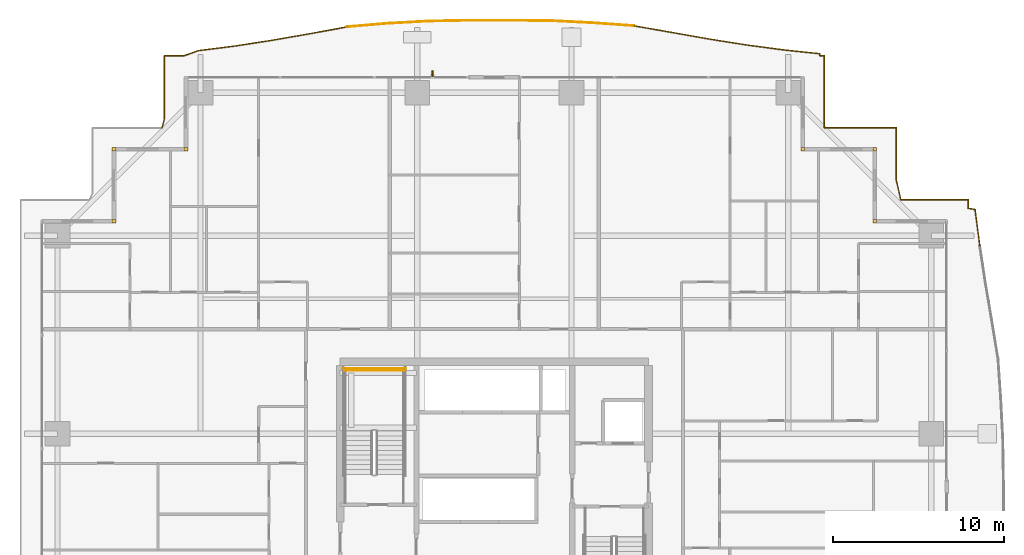
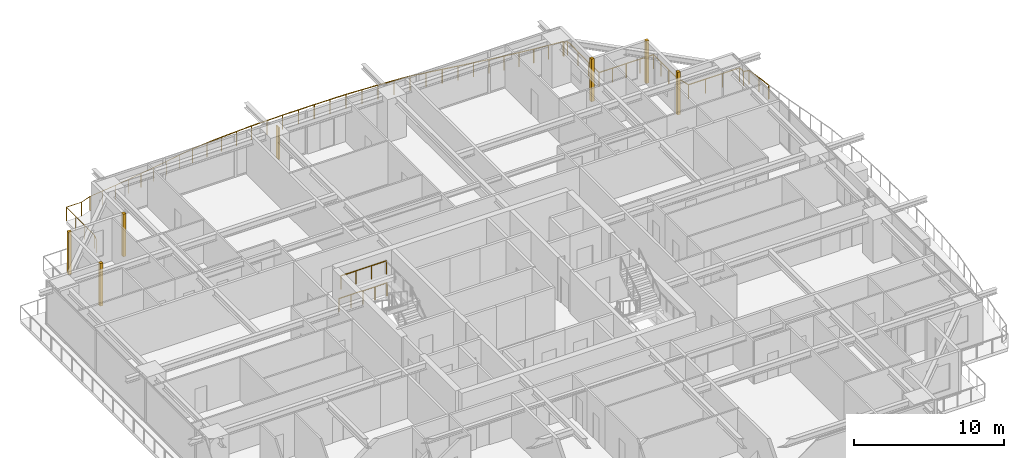
# One storey, part 38 of 38: 6 coverings, 6 railings, 1 shading device.
"""IFC4 building model written with IfcOpenShell, lengths in metres."""

from ifc_helpers import new_model, si_unit, direction, frame, origin, origin_2d, place, context, subcontext, project, spatial, rectangle, circle, extrude, source, transform, mapped, material, layer, layer_set, type_object, element, save


model = new_model("IFC4")

# Units and contexts
model_context = context("Model", 3, precision=1e-05, world=origin(), true_north=direction((0.0, 1.0)))
body_context = subcontext(model_context, "Body", "Model", "MODEL_VIEW")
ifc_project = project(units=[si_unit("LENGTHUNIT", "METRE"), si_unit("AREAUNIT", "SQUARE_METRE"), si_unit("VOLUMEUNIT", "CUBIC_METRE"), si_unit("PLANEANGLEUNIT", "RADIAN"), si_unit("MASSUNIT", "GRAM", prefix="KILO")], contexts=[model_context])

# Site, building, storey
site_placement = place(None, origin())
site = spatial("IfcSite", under=ifc_project, at=site_placement, CompositionType="ELEMENT")
building_placement = place(site_placement, origin())
building = spatial("IfcBuilding", under=site, at=building_placement, Name="Serunith Strait Residences", CompositionType="ELEMENT")
storey_placement = place(building_placement, frame((0.0, 0.0, 30.449951171875)))
storey = spatial("IfcBuildingStorey", under=building, at=storey_placement, Name="L06", CompositionType="ELEMENT", Elevation=30.449951171875)

# Railings
ifc_material_1 = material(Name="Stainless Steel & Laminated Glass Balustrade", Category="steel")
railing_type_1 = type_object("IfcRailingType", Name="RLG-BALC-1150", PredefinedType="BALUSTRADE", material=ifc_material_1)
railing_1_placement = place(storey_placement, frame((13.00341796875, 47.260009765625, -0.050048828125)))
element("IfcRailing", 1, at=railing_1_placement, inside=storey, type_object=railing_type_1, Name="L06 Swirling Balcony Perimeter Balustrade 1", PredefinedType="BALUSTRADE", context=body_context, shape_type="SweptSolid", body=[
    extrude(circle(Radius=0.02392578125, at=origin_2d()), frame((0.00048828125, 0.001953125, 1.1259765625), z_axis=(0.256207487761, 0.966621809818, 0.0), x_axis=(-0.966621809818, 0.256207487761, 0.0)), (0.0, 0.0, 1.0), 0.528564453125),
    extrude(circle(Radius=0.02392578125, at=origin_2d()), frame((0.136474609375, 0.516845703125, 1.1259765625), z_axis=(0.0, 1.0, 0.0), x_axis=(-1.0, 0.0, 0.0)), (0.0, 0.0, 1.0), 3.68115234375),
    extrude(circle(Radius=0.02392578125, at=origin_2d()), frame((0.138427734375, 4.199951171875, 1.1259765625), z_axis=(1.0, 0.0, 0.0), x_axis=(0.0, 1.0, 0.0)), (0.0, 0.0, 1.0), 1.151123046875),
    extrude(circle(Radius=0.02392578125, at=origin_2d()), frame((1.29345703125, 4.20068359375, 1.1259765625), z_axis=(0.941439410602, 0.337182200251, 0.0), x_axis=(-0.337182200251, 0.941439410602, 0.0)), (0.0, 0.0, 1.0), 0.87353515625),
    extrude(circle(Radius=0.02392578125, at=origin_2d()), frame((2.11962890625, 4.49609375, 1.1259765625), z_axis=(0.992003367835, 0.126211402833, 0.0), x_axis=(-0.126211402833, 0.992003367835, 0.0)), (0.0, 0.0, 1.0), 2.135498046875),
    extrude(circle(Radius=0.02392578125, at=origin_2d()), frame((4.241943359375, 4.76611328125, 1.1259765625), z_axis=(0.988384727456, 0.151972466364, 0.0), x_axis=(-0.151972466364, 0.988384727456, 0.0)), (0.0, 0.0, 1.0), 2.16162109375),
    extrude(circle(Radius=0.02392578125, at=origin_2d()), frame((6.38232421875, 5.09521484375, 1.1259765625), z_axis=(0.985107764797, 0.171938046217, 0.0), x_axis=(-0.171938046217, 0.985107764797, 0.0)), (0.0, 0.0, 1.0), 2.205322265625),
    extrude(circle(Radius=0.02392578125, at=origin_2d()), frame((8.558837890625, 5.47509765625, 1.1259765625), z_axis=(0.983840647341, 0.179046308648, 0.0), x_axis=(-0.179046308648, 0.983840647341, 0.0)), (0.0, 0.0, 1.0), 2.266357421875),
    extrude(circle(Radius=0.02099609375, at=origin_2d()), origin(), (0.0, 0.0, 1.0), 1.099853515625),
    extrude(circle(Radius=0.02099609375, at=origin_2d()), frame((0.136474609375, 0.514892578125, 0.0)), (0.0, 0.0, 1.0), 1.099853515625),
    extrude(circle(Radius=0.02099609375, at=origin_2d()), frame((0.136474609375, 1.7431640625, 0.0)), (0.0, 0.0, 1.0), 1.099853515625),
    extrude(circle(Radius=0.02099609375, at=origin_2d()), frame((0.136474609375, 2.9716796875, 0.0)), (0.0, 0.0, 1.0), 1.099853515625),
    extrude(circle(Radius=0.02099609375, at=origin_2d()), frame((0.136474609375, 4.199951171875, 0.0)), (0.0, 0.0, 1.0), 1.099853515625),
    extrude(circle(Radius=0.02099609375, at=origin_2d()), frame((1.29150390625, 4.199951171875, 0.0)), (0.0, 0.0, 1.0), 1.099853515625),
    extrude(circle(Radius=0.02099609375, at=origin_2d()), frame((2.11767578125, 4.495849609375, 0.0)), (0.0, 0.0, 1.0), 1.099853515625),
    extrude(circle(Radius=0.02099609375, at=origin_2d()), frame((3.1787109375, 4.630859375, 0.0)), (0.0, 0.0, 1.0), 1.099853515625),
    extrude(circle(Radius=0.02099609375, at=origin_2d()), frame((4.239990234375, 4.765869140625, 0.0)), (0.0, 0.0, 1.0), 1.099853515625),
    extrude(circle(Radius=0.02099609375, at=origin_2d()), frame((5.31005859375, 4.930419921875, 0.0)), (0.0, 0.0, 1.0), 1.099853515625),
    extrude(circle(Radius=0.02099609375, at=origin_2d()), frame((6.38037109375, 5.094970703125, 0.0)), (0.0, 0.0, 1.0), 1.099853515625),
    extrude(circle(Radius=0.02099609375, at=origin_2d()), frame((7.46875, 5.284912109375, 0.0)), (0.0, 0.0, 1.0), 1.099853515625),
    extrude(circle(Radius=0.02099609375, at=origin_2d()), frame((8.556884765625, 5.474853515625, 0.0)), (0.0, 0.0, 1.0), 1.099853515625),
    extrude(circle(Radius=0.02099609375, at=origin_2d()), frame((9.673828125, 5.67822265625, 0.0)), (0.0, 0.0, 1.0), 1.099853515625),
    extrude(circle(Radius=0.02099609375, at=origin_2d()), frame((10.79052734375, 5.88134765625, 0.0)), (0.0, 0.0, 1.0), 1.099853515625),
])
railing_2_placement = place(storey_placement, frame((23.7939453125, 53.141357421875, -0.050048828125)))
element("IfcRailing", 2, at=railing_2_placement, inside=storey, type_object=railing_type_1, Name="L06 Swirling Balcony Perimeter Balustrade 2", PredefinedType="BALUSTRADE", context=body_context, shape_type="SweptSolid", body=[
    extrude(circle(Radius=0.02392578125, at=origin_2d()), frame((0.001953125, 0.000244140625, 1.1259765625), z_axis=(0.996370776715, 0.085119182962, 0.0), x_axis=(-0.085119182962, 0.996370776715, 0.0)), (0.0, 0.0, 1.0), 2.353759765625),
    extrude(circle(Radius=0.02392578125, at=origin_2d()), frame((2.35107421875, 0.20068359375, 1.1259765625), z_axis=(0.998480038069, 0.055114549597, 0.0), x_axis=(-0.055114549597, 0.998480038069, 0.0)), (0.0, 0.0, 1.0), 2.392578125),
    extrude(circle(Radius=0.02392578125, at=origin_2d()), frame((4.743896484375, 0.332763671875, 1.1259765625), z_axis=(0.999819958859, 0.018974980039, 0.0), x_axis=(-0.018974980039, 0.999819958859, 0.0)), (0.0, 0.0, 1.0), 2.414794921875),
    extrude(circle(Radius=0.02392578125, at=origin_2d()), frame((7.162353515625, 0.378662109375, 1.1259765625), z_axis=(1.0, 0.0, 0.0), x_axis=(0.0, 1.0, 0.0)), (0.0, 0.0, 1.0), 2.4248046875),
    extrude(circle(Radius=0.02392578125, at=origin_2d()), frame((9.591064453125, 0.378662109375, 1.1259765625), z_axis=(0.999937390621, -0.011189943579, 0.0), x_axis=(0.011189943579, 0.999937390621, 0.0)), (0.0, 0.0, 1.0), 2.417724609375),
    extrude(circle(Radius=0.02392578125, at=origin_2d()), frame((12.0126953125, 0.3515625, 1.1259765625), z_axis=(0.998712476955, -0.050728575529, 0.0), x_axis=(0.050728575529, 0.998712476955, 0.0)), (0.0, 0.0, 1.0), 2.3974609375),
    extrude(circle(Radius=0.02392578125, at=origin_2d()), frame((14.4111328125, 0.2294921875, 1.1259765625), z_axis=(0.997456608021, -0.07127632928, 0.0), x_axis=(0.07127632928, 0.997456608021, 0.0)), (0.0, 0.0, 1.0), 2.3662109375),
    extrude(circle(Radius=0.02099609375, at=origin_2d()), origin(), (0.0, 0.0, 1.0), 1.099853515625),
    extrude(circle(Radius=0.02099609375, at=origin_2d()), frame((1.174560546875, 0.100341796875, 0.0)), (0.0, 0.0, 1.0), 1.099853515625),
    extrude(circle(Radius=0.02099609375, at=origin_2d()), frame((2.34912109375, 0.20068359375, 0.0)), (0.0, 0.0, 1.0), 1.099853515625),
    extrude(circle(Radius=0.02099609375, at=origin_2d()), frame((3.54541015625, 0.2666015625, 0.0)), (0.0, 0.0, 1.0), 1.099853515625),
    extrude(circle(Radius=0.02099609375, at=origin_2d()), frame((4.741943359375, 0.332763671875, 0.0)), (0.0, 0.0, 1.0), 1.099853515625),
    extrude(circle(Radius=0.02099609375, at=origin_2d()), frame((5.951171875, 0.355712890625, 0.0)), (0.0, 0.0, 1.0), 1.099853515625),
    extrude(circle(Radius=0.02099609375, at=origin_2d()), frame((7.160400390625, 0.378662109375, 0.0)), (0.0, 0.0, 1.0), 1.099853515625),
    extrude(circle(Radius=0.02099609375, at=origin_2d()), frame((8.374755859375, 0.378662109375, 0.0)), (0.0, 0.0, 1.0), 1.099853515625),
    extrude(circle(Radius=0.02099609375, at=origin_2d()), frame((9.589111328125, 0.378662109375, 0.0)), (0.0, 0.0, 1.0), 1.099853515625),
    extrude(circle(Radius=0.02099609375, at=origin_2d()), frame((10.7998046875, 0.365234375, 0.0)), (0.0, 0.0, 1.0), 1.099853515625),
    extrude(circle(Radius=0.02099609375, at=origin_2d()), frame((12.0107421875, 0.3515625, 0.0)), (0.0, 0.0, 1.0), 1.099853515625),
    extrude(circle(Radius=0.02099609375, at=origin_2d()), frame((13.2099609375, 0.29052734375, 0.0)), (0.0, 0.0, 1.0), 1.099853515625),
    extrude(circle(Radius=0.02099609375, at=origin_2d()), frame((14.4091796875, 0.229736328125, 0.0)), (0.0, 0.0, 1.0), 1.099853515625),
    extrude(circle(Radius=0.02099609375, at=origin_2d()), frame((15.59130859375, 0.145263671875, 0.0)), (0.0, 0.0, 1.0), 1.099853515625),
    extrude(circle(Radius=0.02099609375, at=origin_2d()), frame((16.7734375, 0.060791015625, 0.0)), (0.0, 0.0, 1.0), 1.099853515625),
])
railing_3_placement = place(storey_placement, frame((40.5673828125, 53.2021484375, -0.050048828125)))
element("IfcRailing", 3, at=railing_3_placement, inside=storey, type_object=railing_type_1, Name="L06 Swirling Balcony Perimeter Balustrade 3", PredefinedType="BALUSTRADE", context=body_context, shape_type="SweptSolid", body=[
    extrude(circle(Radius=0.02392578125, at=origin_2d()), frame((0.001953125, -0.000244140625, 1.1259765625), z_axis=(0.985277557416, -0.170962378469, 0.0), x_axis=(0.170962378469, 0.985277557416, 0.0)), (0.0, 0.0, 1.0), 2.28076171875),
    extrude(circle(Radius=0.02392578125, at=origin_2d()), frame((2.253173828125, -0.390869140625, 1.1259765625), z_axis=(0.984653759187, -0.174519266901, 0.0), x_axis=(0.174519266901, 0.984653759187, 0.0)), (0.0, 0.0, 1.0), 2.216064453125),
    extrude(circle(Radius=0.02392578125, at=origin_2d()), frame((4.439208984375, -0.7783203125, 1.1259765625), z_axis=(0.987689049808, -0.156429987181, 0.0), x_axis=(0.156429987181, 0.987689049808, 0.0)), (0.0, 0.0, 1.0), 2.16845703125),
    extrude(circle(Radius=0.02392578125, at=origin_2d()), frame((6.5849609375, -1.1181640625, 1.1259765625), z_axis=(0.991337980419, -0.131335481032, 0.0), x_axis=(0.131335481032, 0.991337980419, 0.0)), (0.0, 0.0, 1.0), 2.139404296875),
    extrude(circle(Radius=0.02392578125, at=origin_2d()), frame((8.709716796875, -1.399658203125, 1.1259765625), z_axis=(0.994456969107, -0.105144360737, 0.0), x_axis=(0.105144360737, 0.994456969107, 0.0)), (0.0, 0.0, 1.0), 2.125244140625),
    extrude(circle(Radius=0.02392578125, at=origin_2d()), frame((10.8251953125, -1.625244140625, 1.1259765625), z_axis=(-0.006160047393, -0.999981026728, 0.0), x_axis=(0.999981026728, -0.006160047393, 0.0)), (0.0, 0.0, 1.0), 0.114990234375),
    extrude(circle(Radius=0.02392578125, at=origin_2d()), frame((10.826416015625, -1.7421875, 1.1259765625), z_axis=(1.0, 0.0, 0.0), x_axis=(0.0, 1.0, 0.0)), (0.0, 0.0, 1.0), 0.26416015625),
    extrude(circle(Radius=0.02392578125, at=origin_2d()), frame((11.092529296875, -1.744140625, 1.1259765625), z_axis=(0.0, -1.0, 0.0), x_axis=(1.0, 0.0, 0.0)), (0.0, 0.0, 1.0), 4.196044921875),
    extrude(circle(Radius=0.02099609375, at=origin_2d()), origin(), (0.0, 0.0, 1.0), 1.099853515625),
    extrude(circle(Radius=0.02099609375, at=origin_2d()), frame((1.12548828125, -0.1953125, 0.0)), (0.0, 0.0, 1.0), 1.099853515625),
    extrude(circle(Radius=0.02099609375, at=origin_2d()), frame((2.251220703125, -0.390625, 0.0)), (0.0, 0.0, 1.0), 1.099853515625),
    extrude(circle(Radius=0.02099609375, at=origin_2d()), frame((3.34423828125, -0.58447265625, 0.0)), (0.0, 0.0, 1.0), 1.099853515625),
    extrude(circle(Radius=0.02099609375, at=origin_2d()), frame((4.437255859375, -0.778076171875, 0.0)), (0.0, 0.0, 1.0), 1.099853515625),
    extrude(circle(Radius=0.02099609375, at=origin_2d()), frame((5.51025390625, -0.947998046875, 0.0)), (0.0, 0.0, 1.0), 1.099853515625),
    extrude(circle(Radius=0.02099609375, at=origin_2d()), frame((6.5830078125, -1.117919921875, 0.0)), (0.0, 0.0, 1.0), 1.099853515625),
    extrude(circle(Radius=0.02099609375, at=origin_2d()), frame((7.6455078125, -1.2587890625, 0.0)), (0.0, 0.0, 1.0), 1.099853515625),
    extrude(circle(Radius=0.02099609375, at=origin_2d()), frame((8.707763671875, -1.3994140625, 0.0)), (0.0, 0.0, 1.0), 1.099853515625),
    extrude(circle(Radius=0.02099609375, at=origin_2d()), frame((9.7666015625, -1.51123046875, 0.0)), (0.0, 0.0, 1.0), 1.099853515625),
    extrude(circle(Radius=0.02099609375, at=origin_2d()), frame((10.8251953125, -1.623291015625, 0.0)), (0.0, 0.0, 1.0), 1.099853515625),
    extrude(circle(Radius=0.02099609375, at=origin_2d()), frame((10.824462890625, -1.7421875, 0.0)), (0.0, 0.0, 1.0), 1.099853515625),
    extrude(circle(Radius=0.02099609375, at=origin_2d()), frame((11.092529296875, -1.7421875, 0.0)), (0.0, 0.0, 1.0), 1.099853515625),
    extrude(circle(Radius=0.02099609375, at=origin_2d()), frame((11.092529296875, -3.14208984375, 0.0)), (0.0, 0.0, 1.0), 1.099853515625),
    extrude(circle(Radius=0.02099609375, at=origin_2d()), frame((11.092529296875, -4.542236328125, 0.0)), (0.0, 0.0, 1.0), 1.099853515625),
    extrude(circle(Radius=0.02099609375, at=origin_2d()), frame((11.092529296875, -5.942138671875, 0.0)), (0.0, 0.0, 1.0), 1.099853515625),
])
railing_4_placement = place(storey_placement, frame((51.659912109375, 47.260009765625, -0.050048828125)))
element("IfcRailing", 4, at=railing_4_placement, inside=storey, type_object=railing_type_1, Name="L06 Swirling Balcony Perimeter Balustrade 4", PredefinedType="BALUSTRADE", context=body_context, shape_type="SweptSolid", body=[
    extrude(circle(Radius=0.02392578125, at=origin_2d()), frame((0.001953125, 0.0, 1.1259765625), z_axis=(1.0, 0.0, 0.0), x_axis=(0.0, 1.0, 0.0)), (0.0, 0.0, 1.0), 4.1962890625),
    extrude(circle(Radius=0.02392578125, at=origin_2d()), frame((4.2001953125, -0.001953125, 1.1259765625), z_axis=(0.0, -1.0, 0.0), x_axis=(1.0, 0.0, 0.0)), (0.0, 0.0, 1.0), 3.04638671875),
    extrude(circle(Radius=0.02392578125, at=origin_2d()), frame((4.20068359375, -3.05224609375, 1.1259765625), z_axis=(0.22275734566, -0.974873922594, 0.0), x_axis=(0.974873922594, 0.22275734566, 0.0)), (0.0, 0.0, 1.0), 1.17529296875),
    extrude(circle(Radius=0.02392578125, at=origin_2d()), frame((4.46484375, -4.199951171875, 1.1259765625), z_axis=(1.0, 0.0, 0.0), x_axis=(0.0, 1.0, 0.0)), (0.0, 0.0, 1.0), 3.933349609375),
    extrude(circle(Radius=0.02392578125, at=origin_2d()), frame((8.400146484375, -4.201904296875, 1.1259765625), z_axis=(0.0, -1.0, 0.0), x_axis=(1.0, 0.0, 0.0)), (0.0, 0.0, 1.0), 0.504150390625),
    extrude(circle(Radius=0.02392578125, at=origin_2d()), frame((8.402099609375, -4.708251953125, 1.1259765625), z_axis=(0.9872964163, -0.158889226702, 0.0), x_axis=(0.158889226702, 0.9872964163, 0.0)), (0.0, 0.0, 1.0), 0.398681640625),
    extrude(circle(Radius=0.02392578125, at=origin_2d()), frame((8.7978515625, -4.77392578125, 1.1259765625), z_axis=(0.12901816084, -0.991642230935, 0.0), x_axis=(0.991642230935, 0.12901816084, 0.0)), (0.0, 0.0, 1.0), 2.141845703125),
    extrude(circle(Radius=0.02099609375, at=origin_2d()), origin(), (0.0, 0.0, 1.0), 1.099853515625),
    extrude(circle(Radius=0.02099609375, at=origin_2d()), frame((1.050048828125, 0.0, 0.0)), (0.0, 0.0, 1.0), 1.099853515625),
    extrude(circle(Radius=0.02099609375, at=origin_2d()), frame((2.10009765625, 0.0, 0.0)), (0.0, 0.0, 1.0), 1.099853515625),
    extrude(circle(Radius=0.02099609375, at=origin_2d()), frame((3.150146484375, 0.0, 0.0)), (0.0, 0.0, 1.0), 1.099853515625),
    extrude(circle(Radius=0.02099609375, at=origin_2d()), frame((4.2001953125, 0.0, 0.0)), (0.0, 0.0, 1.0), 1.099853515625),
    extrude(circle(Radius=0.02099609375, at=origin_2d()), frame((4.2001953125, -1.016845703125, 0.0)), (0.0, 0.0, 1.0), 1.099853515625),
    extrude(circle(Radius=0.02099609375, at=origin_2d()), frame((4.2001953125, -2.033447265625, 0.0)), (0.0, 0.0, 1.0), 1.099853515625),
    extrude(circle(Radius=0.02099609375, at=origin_2d()), frame((4.2001953125, -3.05029296875, 0.0)), (0.0, 0.0, 1.0), 1.099853515625),
    extrude(circle(Radius=0.02099609375, at=origin_2d()), frame((4.462890625, -4.199951171875, 0.0)), (0.0, 0.0, 1.0), 1.099853515625),
    extrude(circle(Radius=0.02099609375, at=origin_2d()), frame((5.775390625, -4.199951171875, 0.0)), (0.0, 0.0, 1.0), 1.099853515625),
    extrude(circle(Radius=0.02099609375, at=origin_2d()), frame((7.087646484375, -4.199951171875, 0.0)), (0.0, 0.0, 1.0), 1.099853515625),
    extrude(circle(Radius=0.02099609375, at=origin_2d()), frame((8.400146484375, -4.199951171875, 0.0)), (0.0, 0.0, 1.0), 1.099853515625),
    extrude(circle(Radius=0.02099609375, at=origin_2d()), frame((8.400146484375, -4.7080078125, 0.0)), (0.0, 0.0, 1.0), 1.099853515625),
    extrude(circle(Radius=0.02099609375, at=origin_2d()), frame((8.797607421875, -4.77197265625, 0.0)), (0.0, 0.0, 1.0), 1.099853515625),
    extrude(circle(Radius=0.02099609375, at=origin_2d()), frame((8.93603515625, -5.8359375, 0.0)), (0.0, 0.0, 1.0), 1.099853515625),
    extrude(circle(Radius=0.02099609375, at=origin_2d()), frame((9.074462890625, -6.89990234375, 0.0)), (0.0, 0.0, 1.0), 1.099853515625),
])
ifc_material_2 = material(Name="Brushed stainless steel 316L", Category="steel")
railing_type_2 = type_object("IfcRailingType", Name="RLG-STAIR-GUARD", PredefinedType="BALUSTRADE", material=ifc_material_2)
railing_5_placement = place(storey_placement, frame((27.14990234375, 33.10009765625, 1.875)))
element("IfcRailing", 5, at=railing_5_placement, inside=storey, type_object=railing_type_2, Name="L06 ST-1 stair guard 5", PredefinedType="BALUSTRADE", context=body_context, shape_type="SweptSolid", body=[
    extrude(circle(Radius=0.02392578125, at=origin_2d()), frame((-0.001953125, 0.0, 1.076171875), z_axis=(-1.0, 0.0, 0.0), x_axis=(0.0, -1.0, 0.0)), (0.0, 0.0, 1.0), 3.49609375),
    extrude(circle(Radius=0.02099609375, at=origin_2d()), origin(), (0.0, 0.0, 1.0), 1.050048828125),
    extrude(circle(Radius=0.02099609375, at=origin_2d()), frame((-1.166748046875, 0.0, 0.0)), (0.0, 0.0, 1.0), 1.050048828125),
    extrude(circle(Radius=0.02099609375, at=origin_2d()), frame((-2.333251953125, 0.0, 0.0)), (0.0, 0.0, 1.0), 1.050048828125),
    extrude(circle(Radius=0.02099609375, at=origin_2d()), frame((-3.5, 0.0, 0.0)), (0.0, 0.0, 1.0), 1.050048828125),
])
railing_6_placement = place(storey_placement, frame((27.25, 33.199951171875, 0.0)))
element("IfcRailing", 6, at=railing_6_placement, inside=storey, type_object=railing_type_2, Name="L06 ST-1 stair guard 12", PredefinedType="BALUSTRADE", context=body_context, shape_type="SweptSolid", body=[
    extrude(circle(Radius=0.02392578125, at=origin_2d()), frame((-0.001953125, 0.0, 1.076171875), z_axis=(-1.0, 0.0, 0.0), x_axis=(0.0, -1.0, 0.0)), (0.0, 0.0, 1.0), 3.696044921875),
    extrude(circle(Radius=0.02099609375, at=origin_2d()), origin(), (0.0, 0.0, 1.0), 1.050048828125),
    extrude(circle(Radius=0.02099609375, at=origin_2d()), frame((-0.925048828125, 0.0, 0.0)), (0.0, 0.0, 1.0), 1.050048828125),
    extrude(circle(Radius=0.02099609375, at=origin_2d()), frame((-1.85009765625, 0.0, 0.0)), (0.0, 0.0, 1.0), 1.050048828125),
    extrude(circle(Radius=0.02099609375, at=origin_2d()), frame((-2.77490234375, 0.0, 0.0)), (0.0, 0.0, 1.0), 1.050048828125),
    extrude(circle(Radius=0.02099609375, at=origin_2d()), frame((-3.699951171875, 0.0, 0.0)), (0.0, 0.0, 1.0), 1.050048828125),
])

# Coverings
ifc_material_3 = material(Name="Pale-Champagne Anodised Aluminium", Category="aluminium")
ifc_layer = layer(ifc_material_3, 0.219970703125, Name="Pale-Champagne Anodised Aluminium")
ifc_layer_set = layer_set([ifc_layer], Name="Pale-Champagne Anodised Aluminium")
covering_type = type_object("IfcCoveringType", Name="COV-CORN-TRIM", PredefinedType="CLADDING", material=ifc_layer_set)
shared_shape_1 = source(origin(), body_context, "Body", "SweptSolid", [
    extrude(rectangle(XDim=0.221923828125, YDim=0.221923828125, at=origin_2d()), origin(), (0.0, 0.0, 1.0), 3.47509765625),
])
for number, where, z_axis, x_axis, name in (
    (7, (54.60009765625, 41.800048828125, 0.0), (0.0, 0.0, 1.0), (1.0, 0.0, 0.0), "L06 Girih Serrated Corner Trim Post 07"),
    (8, (54.60009765625, 46.0, 0.0), (0.0, 0.0, 1.0), (1.0, 0.0, 0.0), "L06 Girih Serrated Corner Trim Post 08"),
    (9, (50.39990234375, 46.0, 0.0), (0.0, 0.0, 1.0), (1.0, 0.0, 0.0), "L06 Girih Serrated Corner Trim Post 09"),
    (10, (14.39990234375, 46.0, 0.0), (0.0, 0.0, 1.0), (1.0, 0.0, 0.0), "L06 Girih Serrated Corner Trim Post 12"),
    (11, (10.199951171875, 46.0, 0.0), (0.0, 0.0, 1.0), (1.0, 0.0, 0.0), "L06 Girih Serrated Corner Trim Post 13"),
    (12, (10.199951171875, 41.800048828125, 0.0), (0.0, 0.0, 1.0), (1.0, 0.0, 0.0), "L06 Girih Serrated Corner Trim Post 14"),
):
    element("IfcCovering", number, at=place(storey_placement, frame(where, z_axis=z_axis, x_axis=x_axis)), inside=storey, type_object=covering_type, Name=name, PredefinedType="CLADDING", context=body_context, shape_type="MappedRepresentation", body=[
        mapped(shared_shape_1, transform((0.0, 0.0, 0.0), scale=1.0)),
    ])

# Shading device
ifc_material_4 = material(Name="Pale-Champagne Perforated Aluminium Fin", Category="aluminium")
shading_device_type = type_object("IfcShadingDeviceType", Name="SHD-DIAG-FIN", PredefinedType="AWNING", material=ifc_material_4)
shared_shape_2 = source(origin(), body_context, "Body", "SweptSolid", [
    extrude(rectangle(XDim=0.080078125, YDim=0.35009765625, at=origin_2d()), origin(), (0.0, 0.0, 1.0), 2.60009765625),
])
shading_device_placement = place(storey_placement, frame((28.800048828125, 50.419921875, 0.199951171875), z_axis=(0.0, 0.0, 1.0), x_axis=(1.0, 0.0, 0.0)))
element("IfcShadingDevice", 13, at=shading_device_placement, inside=storey, type_object=shading_device_type, Name="L06 Diagonal Rhythm Solar Fin N", PredefinedType="AWNING", context=body_context, shape_type="MappedRepresentation", body=[
    mapped(shared_shape_2, transform((0.0, 0.0, 0.0), scale=1.0)),
])

save(model, "model.ifc")
